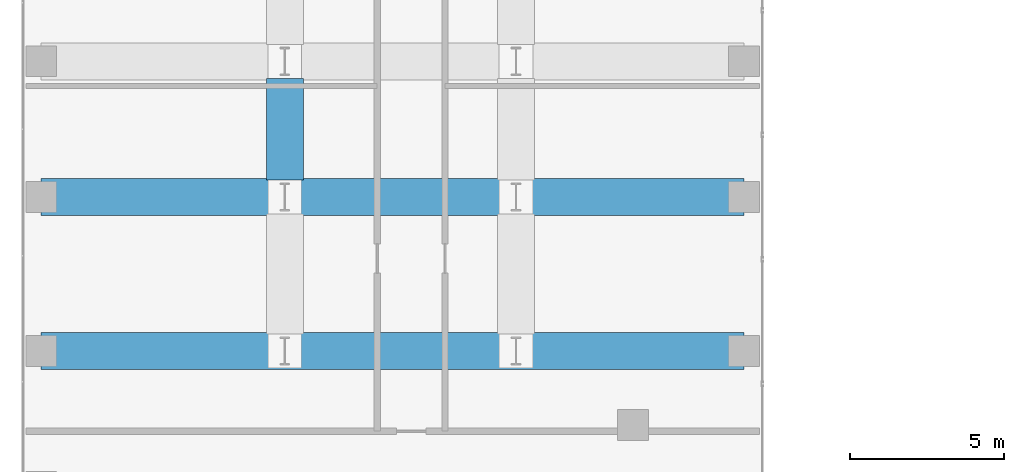
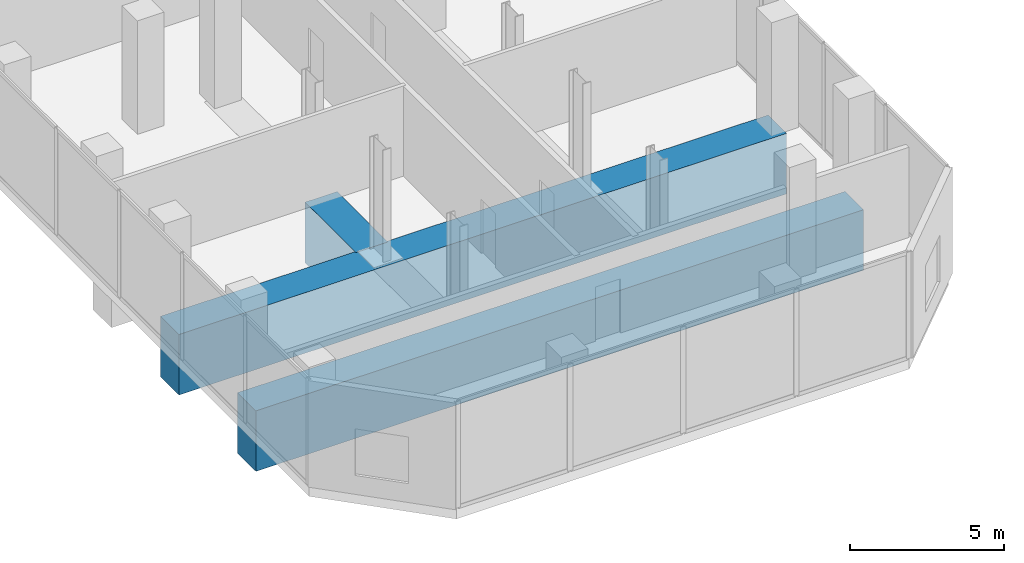
# One storey, part 4 of 24: 3 beams.
"""IFC4 building model written with IfcOpenShell, lengths in metres."""

from ifc_helpers import new_model, si_unit, direction, frame, origin, origin_2d, place, context, subcontext, project, spatial, rectangle, extrude, material, material_profile, profile_set, type_object, element, save


model = new_model("IFC4")

# Units and contexts
model_context = context("Model", 3, precision=1e-05, world=origin(), true_north=direction((0.0, 1.0)))
body_context = subcontext(model_context, "Body", "Model", "MODEL_VIEW")
ifc_project = project(units=[si_unit("LENGTHUNIT", "METRE"), si_unit("AREAUNIT", "SQUARE_METRE"), si_unit("VOLUMEUNIT", "CUBIC_METRE"), si_unit("PLANEANGLEUNIT", "RADIAN"), si_unit("MASSUNIT", "GRAM", prefix="KILO")], contexts=[model_context])

# Site, building, storey
site_placement = place(None, origin())
site = spatial("IfcSite", under=ifc_project, at=site_placement, CompositionType="ELEMENT")
building_placement = place(site_placement, origin())
building = spatial("IfcBuilding", under=site, at=building_placement, Name="Catumbela Crestline Tower", CompositionType="ELEMENT")
storey_placement = place(building_placement, frame((0.0, 0.0, 21.3)))
storey = spatial("IfcBuildingStorey", under=building, at=storey_placement, Name="L04", CompositionType="ELEMENT", Elevation=21.3)

# Beams
ifc_material = material(Name="Concrete C60/75", Category="concrete")
ifc_material_profile = material_profile(ifc_material, rectangle(XDim=1.2, YDim=2.4, at=origin_2d()), Name="RC 1200x2400")
ifc_profile_set = profile_set([ifc_material_profile], Name="Concrete C60/75")
beam_type = type_object("IfcBeamType", Name="TG-2400", PredefinedType="BEAM", material=ifc_profile_set)
for number, where, z_axis, x_axis, name in (
    (1, (0.6, 8.6, -1.2), (1.0, 0.0, 0.0), (0.0, 1.0, 0.0), "L04 Transfer Girder TG-L04-EW1"),
    (2, (0.6, 13.6, -1.2), (1.0, 0.0, 0.0), (0.0, 1.0, 0.0), "L04 Transfer Girder TG-L04-EW2"),
):
    element("IfcBeam", number, at=place(storey_placement, frame(where, z_axis=z_axis, x_axis=x_axis)), inside=storey, type_object=beam_type, Name=name, PredefinedType="BEAM", context=body_context, shape_type="SweptSolid", body=[
        extrude(rectangle(XDim=1.2, YDim=2.4, at=origin_2d()), origin(), (0.0, 0.0, 1.0), 22.8),
    ])
beam_placement = place(storey_placement, frame((8.5, 14.15, -1.2), z_axis=(0.0, 1.0, 0.0), x_axis=(-1.0, 0.0, 0.0)))
element("IfcBeam", 3, at=beam_placement, inside=storey, type_object=beam_type, Name="L04 Transfer Girder TG-L04-NS2", PredefinedType="BEAM", context=body_context, shape_type="SweptSolid", body=[
    extrude(rectangle(XDim=1.2, YDim=2.4, at=origin_2d()), origin(), (0.0, 0.0, 1.0), 3.3),
])

save(model, "model.ifc")
